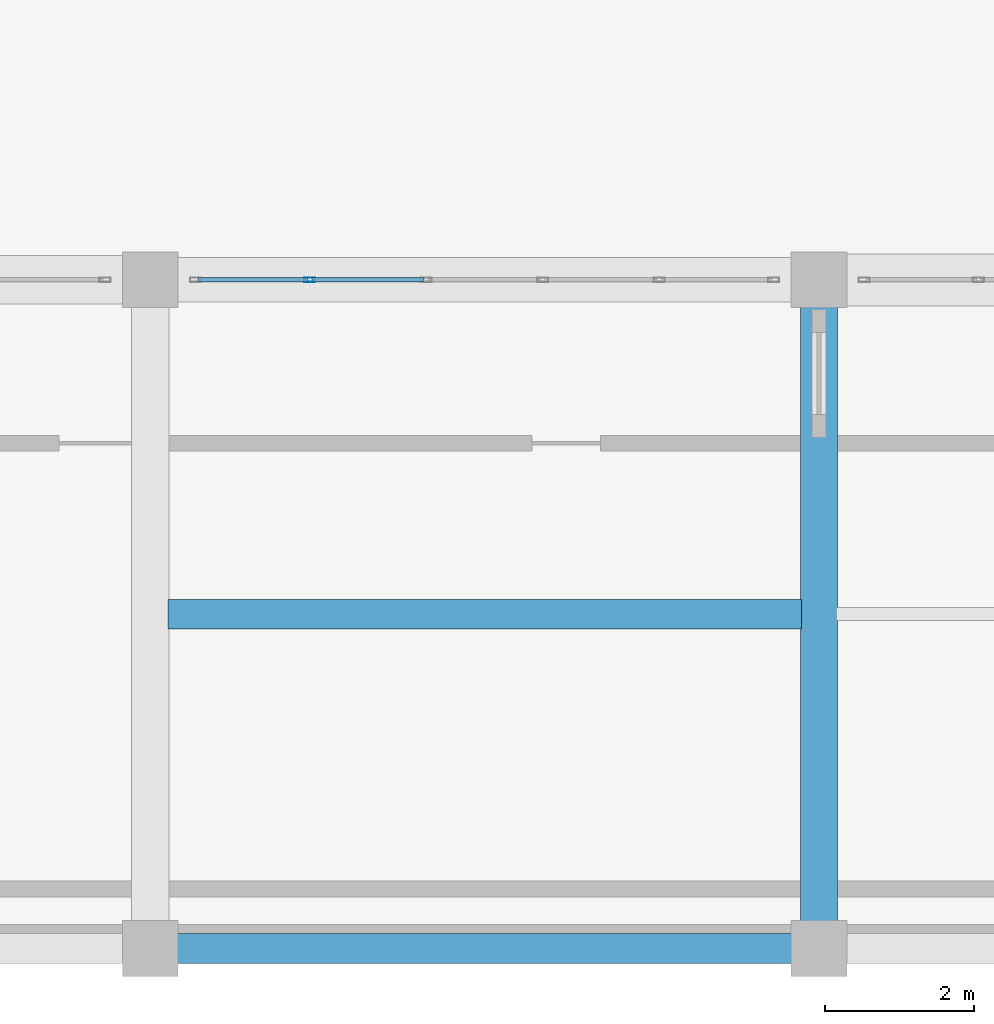
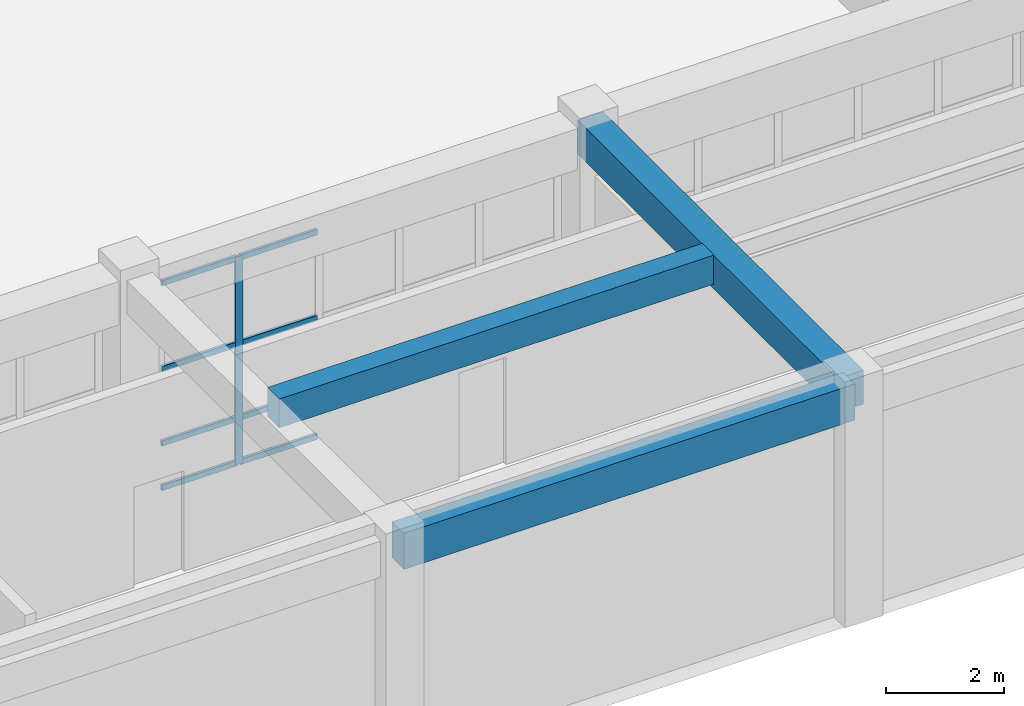
# One storey, part 29 of 128: 9 members, 3 beams, 1 element without a shape of its own.
"""IFC4 building model written with IfcOpenShell, lengths in metres."""

from ifc_helpers import new_model, si_unit, direction, frame, origin, origin_2d, place, context, subcontext, project, spatial, rectangle, hollow_rectangle, extrude, material, material_profile, profile_set, type_object, element, aggregate, save


model = new_model("IFC4")

# Units and contexts
model_context = context("Model", 3, precision=1e-05, world=origin(), true_north=direction((0.0, 1.0)))
body_context = subcontext(model_context, "Body", "Model", "MODEL_VIEW")
ifc_project = project(units=[si_unit("LENGTHUNIT", "METRE"), si_unit("AREAUNIT", "SQUARE_METRE"), si_unit("VOLUMEUNIT", "CUBIC_METRE"), si_unit("PLANEANGLEUNIT", "RADIAN"), si_unit("MASSUNIT", "GRAM", prefix="KILO")], contexts=[model_context])

# Site, building, storey
site_placement = place(None, origin())
site = spatial("IfcSite", under=ifc_project, at=site_placement, CompositionType="ELEMENT")
building_placement = place(site_placement, origin())
building = spatial("IfcBuilding", under=site, at=building_placement, Name="Miravela Opera House", CompositionType="ELEMENT")
storey_placement = place(building_placement, origin())
storey = spatial("IfcBuildingStorey", under=building, at=storey_placement, Name="L00", CompositionType="ELEMENT", Elevation=0.0)

# Curtain wall, members
ifc_material_1 = material(Name="Anodised architectural bronze aluminium 6063-T6", Category="aluminium")
curtain_wall_type = type_object("IfcCurtainWallType", Name="ARC-CW-06", PredefinedType="NOTDEFINED", material=ifc_material_1)
curtain_wall_placement = place(storey_placement, origin())
curtain_wall = element("IfcCurtainWall", 1, at=curtain_wall_placement, inside=storey, type_object=curtain_wall_type, Name="Courtyard Arcade Curtain Wall CW-L00-118", PredefinedType="NOTDEFINED")
ifc_material_profile_1 = material_profile(ifc_material_1, hollow_rectangle(XDim=0.06005859375, YDim=0.14990234375, WallThickness=0.00390625, InnerFilletRadius=0.001953125, OuterFilletRadius=0.00390625, at=origin_2d()), Name="CWM-60X150")
ifc_profile_set_1 = profile_set([ifc_material_profile_1])
member_type_1 = type_object("IfcMemberType", Name="ARC-CWM-150", PredefinedType="MULLION", material=ifc_profile_set_1)
member_1_placement = place(storey_placement, frame((47.14794921875, 9.0, 0.0), z_axis=(0.0, 0.0, 1.0), x_axis=(0.0, 1.0, 0.0)))
member_1 = element("IfcMember", 2, at=member_1_placement, type_object=member_type_1, Name="CW-06 mullion 2", PredefinedType="MULLION", context=body_context, shape_type="SweptSolid", body=[
    extrude(hollow_rectangle(XDim=0.06005859375, YDim=0.14990234375, WallThickness=0.00390625, InnerFilletRadius=0.001953125, OuterFilletRadius=0.00390625, at=origin_2d()), origin(), (0.0, 0.0, 1.0), 4.300048828125),
])
ifc_material_profile_2 = material_profile(ifc_material_1, hollow_rectangle(XDim=0.06005859375, YDim=0.114990234375, WallThickness=0.00390625, InnerFilletRadius=0.001953125, OuterFilletRadius=0.00390625, at=origin_2d()), Name="CWT-60X115")
ifc_profile_set_2 = profile_set([ifc_material_profile_2])
member_type_2 = type_object("IfcMemberType", Name="ARC-CWT-115", PredefinedType="USERDEFINED", material=ifc_profile_set_2)
member_2_placement = place(storey_placement, frame((45.639892578125, 9.0, 0.030029296875), z_axis=(1.0, 0.0, 0.0), x_axis=(0.0, 1.0, 0.0)))
member_2 = element("IfcMember", 3, at=member_2_placement, type_object=member_type_2, Name="CW-06 transom 1.1", ObjectType="TRANSOM", PredefinedType="USERDEFINED", context=body_context, shape_type="SweptSolid", body=[
    extrude(hollow_rectangle(XDim=0.06005859375, YDim=0.114990234375, WallThickness=0.00390625, InnerFilletRadius=0.001953125, OuterFilletRadius=0.00390625, at=origin_2d()), origin(), (0.0, 0.0, 1.0), 1.47802734375),
])
member_3_placement = place(storey_placement, frame((45.639892578125, 9.0, 0.949951171875), z_axis=(1.0, 0.0, 0.0), x_axis=(0.0, 1.0, 0.0)))
member_3 = element("IfcMember", 4, at=member_3_placement, type_object=member_type_2, Name="CW-06 transom 1.2", ObjectType="TRANSOM", PredefinedType="USERDEFINED", context=body_context, shape_type="SweptSolid", body=[
    extrude(hollow_rectangle(XDim=0.06005859375, YDim=0.114990234375, WallThickness=0.00390625, InnerFilletRadius=0.001953125, OuterFilletRadius=0.00390625, at=origin_2d()), origin(), (0.0, 0.0, 1.0), 1.47802734375),
])
member_4_placement = place(storey_placement, frame((45.639892578125, 9.0, 2.493896484375), z_axis=(1.0, 0.0, 0.0), x_axis=(0.0, 1.0, 0.0)))
member_4 = element("IfcMember", 5, at=member_4_placement, type_object=member_type_2, Name="CW-06 transom 1.3", ObjectType="TRANSOM", PredefinedType="USERDEFINED", context=body_context, shape_type="SweptSolid", body=[
    extrude(hollow_rectangle(XDim=0.06005859375, YDim=0.114990234375, WallThickness=0.00390625, InnerFilletRadius=0.001953125, OuterFilletRadius=0.00390625, at=origin_2d()), origin(), (0.0, 0.0, 1.0), 1.47802734375),
])
member_5_placement = place(storey_placement, frame((45.639892578125, 9.0, 4.27001953125), z_axis=(1.0, 0.0, 0.0), x_axis=(0.0, 1.0, 0.0)))
member_5 = element("IfcMember", 6, at=member_5_placement, type_object=member_type_2, Name="CW-06 transom 1.4", ObjectType="TRANSOM", PredefinedType="USERDEFINED", context=body_context, shape_type="SweptSolid", body=[
    extrude(hollow_rectangle(XDim=0.06005859375, YDim=0.114990234375, WallThickness=0.00390625, InnerFilletRadius=0.001953125, OuterFilletRadius=0.00390625, at=origin_2d()), origin(), (0.0, 0.0, 1.0), 1.47802734375),
])
member_6_placement = place(storey_placement, frame((47.177978515625, 9.0, 0.030029296875), z_axis=(1.0, 0.0, 0.0), x_axis=(0.0, 1.0, 0.0)))
member_6 = element("IfcMember", 7, at=member_6_placement, type_object=member_type_2, Name="CW-06 transom 2.1", ObjectType="TRANSOM", PredefinedType="USERDEFINED", context=body_context, shape_type="SweptSolid", body=[
    extrude(hollow_rectangle(XDim=0.06005859375, YDim=0.114990234375, WallThickness=0.00390625, InnerFilletRadius=0.001953125, OuterFilletRadius=0.00390625, at=origin_2d()), origin(), (0.0, 0.0, 1.0), 1.508056640625),
])
member_7_placement = place(storey_placement, frame((47.177978515625, 9.0, 0.949951171875), z_axis=(1.0, 0.0, 0.0), x_axis=(0.0, 1.0, 0.0)))
member_7 = element("IfcMember", 8, at=member_7_placement, type_object=member_type_2, Name="CW-06 transom 2.2", ObjectType="TRANSOM", PredefinedType="USERDEFINED", context=body_context, shape_type="SweptSolid", body=[
    extrude(hollow_rectangle(XDim=0.06005859375, YDim=0.114990234375, WallThickness=0.00390625, InnerFilletRadius=0.001953125, OuterFilletRadius=0.00390625, at=origin_2d()), origin(), (0.0, 0.0, 1.0), 1.508056640625),
])
member_8_placement = place(storey_placement, frame((47.177978515625, 9.0, 2.493896484375), z_axis=(1.0, 0.0, 0.0), x_axis=(0.0, 1.0, 0.0)))
member_8 = element("IfcMember", 9, at=member_8_placement, type_object=member_type_2, Name="CW-06 transom 2.3", ObjectType="TRANSOM", PredefinedType="USERDEFINED", context=body_context, shape_type="SweptSolid", body=[
    extrude(hollow_rectangle(XDim=0.06005859375, YDim=0.114990234375, WallThickness=0.00390625, InnerFilletRadius=0.001953125, OuterFilletRadius=0.00390625, at=origin_2d()), origin(), (0.0, 0.0, 1.0), 1.508056640625),
])
member_9_placement = place(storey_placement, frame((47.177978515625, 9.0, 4.27001953125), z_axis=(1.0, 0.0, 0.0), x_axis=(0.0, 1.0, 0.0)))
member_9 = element("IfcMember", 10, at=member_9_placement, type_object=member_type_2, Name="CW-06 transom 2.4", ObjectType="TRANSOM", PredefinedType="USERDEFINED", context=body_context, shape_type="SweptSolid", body=[
    extrude(hollow_rectangle(XDim=0.06005859375, YDim=0.114990234375, WallThickness=0.00390625, InnerFilletRadius=0.001953125, OuterFilletRadius=0.00390625, at=origin_2d()), origin(), (0.0, 0.0, 1.0), 1.508056640625),
])
aggregate(curtain_wall, [member_1, member_2, member_3, member_4, member_5, member_6, member_7, member_8, member_9])

# Beams
ifc_material_2 = material(Name="Concrete C35/45", Category="concrete")
ifc_material_profile_3 = material_profile(ifc_material_2, rectangle(XDim=0.39990234375, YDim=0.60009765625, at=origin_2d()), Name="RC-BM-400X600")
ifc_profile_set_3 = profile_set([ifc_material_profile_3])
beam_type_1 = type_object("IfcBeamType", Name="STR-BM-RC400X600", PredefinedType="JOIST", material=ifc_profile_set_3)
beam_1_placement = place(storey_placement, frame((45.235107421875, 4.5, 4.550048828125), z_axis=(1.0, 0.0, 0.0), x_axis=(0.0, 1.0, 0.0)))
element("IfcBeam", 11, at=beam_1_placement, inside=storey, type_object=beam_type_1, Name="Secondary Floor Joist L00 6-7/A-B", PredefinedType="JOIST", context=body_context, shape_type="SweptSolid", body=[
    extrude(rectangle(XDim=0.39990234375, YDim=0.60009765625, at=origin_2d()), origin(), (0.0, 0.0, 1.0), 8.52978515625),
])
ifc_material_profile_4 = material_profile(ifc_material_2, rectangle(XDim=0.5, YDim=0.699951171875, at=origin_2d()), Name="RC-BM-500X700")
ifc_profile_set_4 = profile_set([ifc_material_profile_4])
beam_type_2 = type_object("IfcBeamType", Name="STR-BM-RC500X700", PredefinedType="BEAM", material=ifc_profile_set_4)
beam_2_placement = place(storey_placement, frame((54.0, 0.080078125, 4.5), z_axis=(0.0, 1.0, 0.0), x_axis=(-1.0, 0.0, 0.0)))
element("IfcBeam", 12, at=beam_2_placement, inside=storey, type_object=beam_type_2, Name="Floor Girder L00 7/A-B", PredefinedType="BEAM", context=body_context, shape_type="SweptSolid", body=[
    extrude(rectangle(XDim=0.5, YDim=0.699951171875, at=origin_2d()), origin(), (0.0, 0.0, 1.0), 8.83984375),
])
ifc_material_profile_5 = material_profile(ifc_material_2, rectangle(XDim=0.39990234375, YDim=0.75, at=origin_2d()), Name="RC-SPN-400X750")
ifc_profile_set_5 = profile_set([ifc_material_profile_5])
beam_type_3 = type_object("IfcBeamType", Name="STR-SPN-RC400X750", PredefinedType="SPANDREL", material=ifc_profile_set_5)
beam_3_placement = place(storey_placement, frame((45.080078125, 0.0, 4.47509765625), z_axis=(1.0, 0.0, 0.0), x_axis=(0.0, 1.0, 0.0)))
element("IfcBeam", 13, at=beam_3_placement, inside=storey, type_object=beam_type_3, Name="Floor Girder L00 6-7/A", PredefinedType="SPANDREL", context=body_context, shape_type="SweptSolid", body=[
    extrude(rectangle(XDim=0.39990234375, YDim=0.75, at=origin_2d()), origin(), (0.0, 0.0, 1.0), 8.83984375),
])

save(model, "model.ifc")
